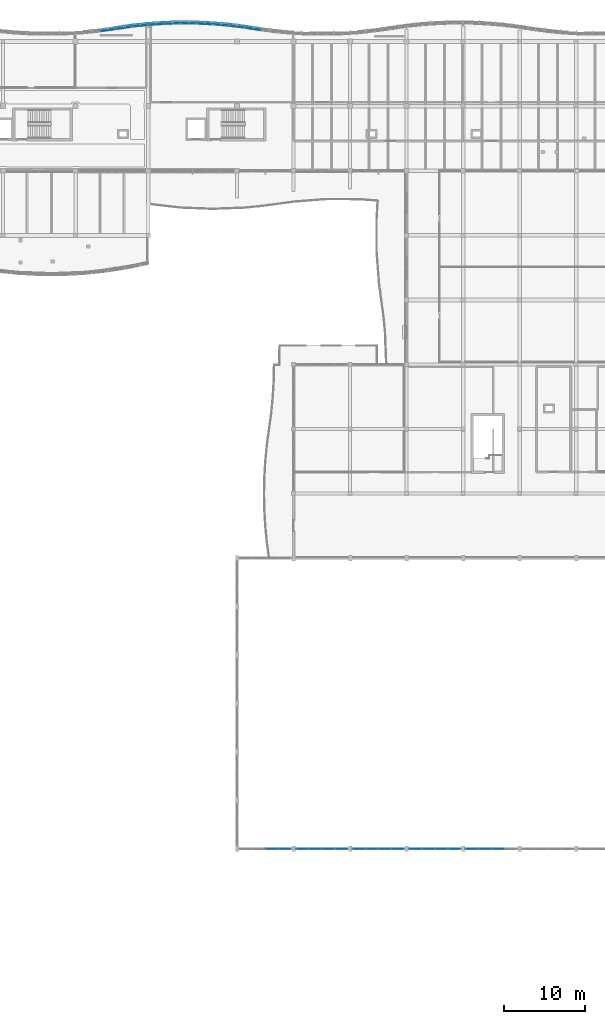
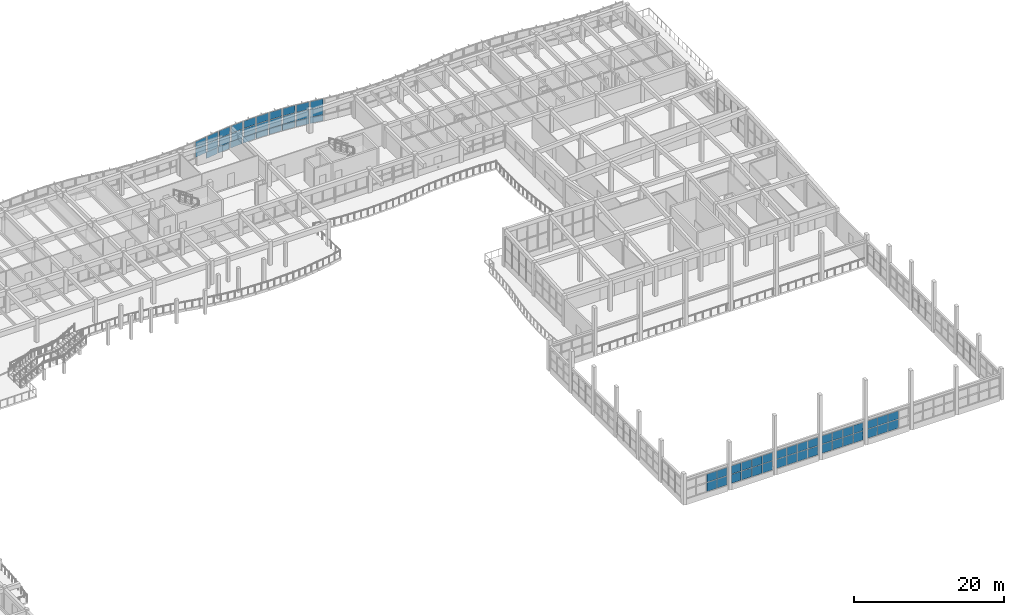
# One storey, part 51 of 89: 63 plates, 15 elements without a shape of their own.
"""IFC4 building model written with IfcOpenShell, lengths in metres."""

from ifc_helpers import new_model, si_unit, direction, frame, origin, origin_2d, place, context, subcontext, project, spatial, rectangle, extrude, material, layer, layer_set, type_object, element, aggregate, save


model = new_model("IFC4")

# Units and contexts
model_context = context("Model", 3, precision=1e-05, world=origin(), true_north=direction((0.0, 1.0)))
body_context = subcontext(model_context, "Body", "Model", "MODEL_VIEW")
ifc_project = project(units=[si_unit("LENGTHUNIT", "METRE"), si_unit("AREAUNIT", "SQUARE_METRE"), si_unit("VOLUMEUNIT", "CUBIC_METRE"), si_unit("PLANEANGLEUNIT", "RADIAN"), si_unit("MASSUNIT", "GRAM", prefix="KILO")], contexts=[model_context])

# Site, building, storey
site_placement = place(None, origin())
site = spatial("IfcSite", under=ifc_project, at=site_placement, CompositionType="ELEMENT")
building_placement = place(site_placement, origin())
building = spatial("IfcBuilding", under=site, at=building_placement, Name="Tonlespit Floodbar School", CompositionType="ELEMENT")
storey_placement = place(building_placement, frame((0.0, 0.0, 4.5)))
storey = spatial("IfcBuildingStorey", under=building, at=storey_placement, Name="L01", CompositionType="ELEMENT", Elevation=4.5)

# Curtain wall, plates
ifc_material_1 = material(Name="Anodised Aluminium", Category="aluminium")
ifc_layer_1 = layer(ifc_material_1, 0.159912109375)
ifc_layer_set_1 = layer_set([ifc_layer_1], Name="Anodised Aluminium")
curtain_wall_type_1 = type_object("IfcCurtainWallType", Name="CurtainWall_1950x2700", PredefinedType="NOTDEFINED", material=ifc_layer_set_1)
curtain_wall_1_placement = place(storey_placement, origin())
curtain_wall_1 = element("IfcCurtainWall", 1, at=curtain_wall_1_placement, inside=storey, type_object=curtain_wall_type_1, Name="L01 unitised curtain wall 0073", PredefinedType="NOTDEFINED")
ifc_material_2 = material(Name="Laminated Low-E Glass", Category="glass")
ifc_layer_2 = layer(ifc_material_2, 0.028076171875)
ifc_layer_set_2 = layer_set([ifc_layer_2], Name="Laminated Low-E Glass")
plate_type_1 = type_object("IfcPlateType", Name="CW_Panel_Glaz_28", PredefinedType="CURTAIN_PANEL", material=ifc_layer_set_2)
plate_1_placement = place(storey_placement, frame((111.0, 121.404296875, 1.01513671875), z_axis=(0.0, 0.0, 1.0), x_axis=(0.989541561858, 0.144248041079, 0.0)))
plate_1 = element("IfcPlate", 2, at=plate_1_placement, type_object=plate_type_1, Name="CW-04 panel 1.1", PredefinedType="CURTAIN_PANEL", context=body_context, shape_type="SweptSolid", body=[
    extrude(rectangle(XDim=1.81103515625, YDim=0.028076171875, at=origin_2d()), origin(), (0.0, 0.0, 1.0), 1.306396484375),
])
plate_2_placement = place(storey_placement, frame((111.0, 121.404296875, 2.38671875), z_axis=(0.0, 0.0, 1.0), x_axis=(0.989541561858, 0.144248041079, 0.0)))
plate_2 = element("IfcPlate", 3, at=plate_2_placement, type_object=plate_type_1, Name="CW-04 panel 1.2", PredefinedType="CURTAIN_PANEL", context=body_context, shape_type="SweptSolid", body=[
    extrude(rectangle(XDim=1.81103515625, YDim=0.028076171875, at=origin_2d()), origin(), (0.0, 0.0, 1.0), 1.198486328125),
])
aggregate(curtain_wall_1, [plate_1, plate_2])

ifc_layer_3 = layer(ifc_material_1, 0.159912109375)
ifc_layer_set_3 = layer_set([ifc_layer_3], Name="Anodised Aluminium")
curtain_wall_type_2 = type_object("IfcCurtainWallType", Name="CurtainWall_6450x3000", PredefinedType="NOTDEFINED", material=ifc_layer_set_3)
curtain_wall_2_placement = place(storey_placement, origin())
curtain_wall_2 = element("IfcCurtainWall", 4, at=curtain_wall_2_placement, inside=storey, type_object=curtain_wall_type_2, Name="L01 unitised curtain wall 0313", PredefinedType="NOTDEFINED")
plate_3_placement = place(storey_placement, frame((159.308837890625, 20.0, 0.7548828125), z_axis=(0.0, 0.0, 1.0), x_axis=(-1.0, 0.0, 0.0)))
plate_3 = element("IfcPlate", 5, at=plate_3_placement, type_object=plate_type_1, Name="CW-49 panel 2.1", PredefinedType="CURTAIN_PANEL", context=body_context, shape_type="SweptSolid", body=[
    extrude(rectangle(XDim=1.552490234375, YDim=0.028076171875, at=origin_2d()), origin(), (0.0, 0.0, 1.0), 1.457275390625),
])
plate_4_placement = place(storey_placement, frame((159.308837890625, 20.0, 2.27734375), z_axis=(0.0, 0.0, 1.0), x_axis=(-1.0, 0.0, 0.0)))
plate_4 = element("IfcPlate", 6, at=plate_4_placement, type_object=plate_type_1, Name="CW-49 panel 2.2", PredefinedType="CURTAIN_PANEL", context=body_context, shape_type="SweptSolid", body=[
    extrude(rectangle(XDim=1.552490234375, YDim=0.028076171875, at=origin_2d()), origin(), (0.0, 0.0, 1.0), 1.337646484375),
])
plate_5_placement = place(storey_placement, frame((157.691162109375, 20.0, 0.7548828125), z_axis=(0.0, 0.0, 1.0), x_axis=(-1.0, 0.0, 0.0)))
plate_5 = element("IfcPlate", 7, at=plate_5_placement, type_object=plate_type_1, Name="CW-49 panel 3.1", PredefinedType="CURTAIN_PANEL", context=body_context, shape_type="SweptSolid", body=[
    extrude(rectangle(XDim=1.552490234375, YDim=0.028076171875, at=origin_2d()), origin(), (0.0, 0.0, 1.0), 1.457275390625),
])
plate_6_placement = place(storey_placement, frame((157.691162109375, 20.0, 2.27734375), z_axis=(0.0, 0.0, 1.0), x_axis=(-1.0, 0.0, 0.0)))
plate_6 = element("IfcPlate", 8, at=plate_6_placement, type_object=plate_type_1, Name="CW-49 panel 3.2", PredefinedType="CURTAIN_PANEL", context=body_context, shape_type="SweptSolid", body=[
    extrude(rectangle(XDim=1.552490234375, YDim=0.028076171875, at=origin_2d()), origin(), (0.0, 0.0, 1.0), 1.337646484375),
])
plate_7_placement = place(storey_placement, frame((156.090087890625, 20.0, 0.7548828125), z_axis=(0.0, 0.0, 1.0), x_axis=(-1.0, 0.0, 0.0)))
plate_7 = element("IfcPlate", 9, at=plate_7_placement, type_object=plate_type_1, Name="CW-49 panel 4.1", PredefinedType="CURTAIN_PANEL", context=body_context, shape_type="SweptSolid", body=[
    extrude(rectangle(XDim=1.52001953125, YDim=0.028076171875, at=origin_2d()), origin(), (0.0, 0.0, 1.0), 1.457275390625),
])
plate_8_placement = place(storey_placement, frame((156.090087890625, 20.0, 2.27734375), z_axis=(0.0, 0.0, 1.0), x_axis=(-1.0, 0.0, 0.0)))
plate_8 = element("IfcPlate", 10, at=plate_8_placement, type_object=plate_type_1, Name="CW-49 panel 4.2", PredefinedType="CURTAIN_PANEL", context=body_context, shape_type="SweptSolid", body=[
    extrude(rectangle(XDim=1.52001953125, YDim=0.028076171875, at=origin_2d()), origin(), (0.0, 0.0, 1.0), 1.337646484375),
])
aggregate(curtain_wall_2, [plate_3, plate_4, plate_5, plate_6, plate_7, plate_8])

curtain_wall_3_placement = place(storey_placement, origin())
curtain_wall_3 = element("IfcCurtainWall", 11, at=curtain_wall_3_placement, inside=storey, type_object=curtain_wall_type_2, Name="L01 unitised curtain wall 0317", PredefinedType="NOTDEFINED")
plate_9_placement = place(storey_placement, frame((132.909912109375, 20.0, 0.7548828125), z_axis=(0.0, 0.0, 1.0), x_axis=(-1.0, 0.0, 0.0)))
plate_9 = element("IfcPlate", 12, at=plate_9_placement, type_object=plate_type_1, Name="CW-49 panel 1.1", PredefinedType="CURTAIN_PANEL", context=body_context, shape_type="SweptSolid", body=[
    extrude(rectangle(XDim=1.52001953125, YDim=0.028076171875, at=origin_2d()), origin(), (0.0, 0.0, 1.0), 1.457275390625),
])
plate_10_placement = place(storey_placement, frame((132.909912109375, 20.0, 2.27734375), z_axis=(0.0, 0.0, 1.0), x_axis=(-1.0, 0.0, 0.0)))
plate_10 = element("IfcPlate", 13, at=plate_10_placement, type_object=plate_type_1, Name="CW-49 panel 1.2", PredefinedType="CURTAIN_PANEL", context=body_context, shape_type="SweptSolid", body=[
    extrude(rectangle(XDim=1.52001953125, YDim=0.028076171875, at=origin_2d()), origin(), (0.0, 0.0, 1.0), 1.337646484375),
])
plate_11_placement = place(storey_placement, frame((131.308837890625, 20.0, 0.7548828125), z_axis=(0.0, 0.0, 1.0), x_axis=(-1.0, 0.0, 0.0)))
plate_11 = element("IfcPlate", 14, at=plate_11_placement, type_object=plate_type_1, Name="CW-49 panel 2.1", PredefinedType="CURTAIN_PANEL", context=body_context, shape_type="SweptSolid", body=[
    extrude(rectangle(XDim=1.552490234375, YDim=0.028076171875, at=origin_2d()), origin(), (0.0, 0.0, 1.0), 1.457275390625),
])
plate_12_placement = place(storey_placement, frame((131.308837890625, 20.0, 2.27734375), z_axis=(0.0, 0.0, 1.0), x_axis=(-1.0, 0.0, 0.0)))
plate_12 = element("IfcPlate", 15, at=plate_12_placement, type_object=plate_type_1, Name="CW-49 panel 2.2", PredefinedType="CURTAIN_PANEL", context=body_context, shape_type="SweptSolid", body=[
    extrude(rectangle(XDim=1.552490234375, YDim=0.028076171875, at=origin_2d()), origin(), (0.0, 0.0, 1.0), 1.337646484375),
])
aggregate(curtain_wall_3, [plate_9, plate_10, plate_11, plate_12])

ifc_layer_4 = layer(ifc_material_1, 0.159912109375)
ifc_layer_set_4 = layer_set([ifc_layer_4], Name="Anodised Aluminium")
curtain_wall_type_3 = type_object("IfcCurtainWallType", Name="CurtainWall_1900x2700", PredefinedType="NOTDEFINED", material=ifc_layer_set_4)
curtain_wall_4_placement = place(storey_placement, origin())
curtain_wall_4 = element("IfcCurtainWall", 16, at=curtain_wall_4_placement, inside=storey, type_object=curtain_wall_type_3, Name="L01 unitised curtain wall 0377", PredefinedType="NOTDEFINED")
plate_13_placement = place(storey_placement, frame((117.0, 122.121826171875, 1.01513671875), z_axis=(0.0, 0.0, 1.0), x_axis=(0.99773010165, 0.067339767311, 0.0)))
plate_13 = element("IfcPlate", 17, at=plate_13_placement, type_object=plate_type_1, Name="CW-05 panel 1.1", PredefinedType="CURTAIN_PANEL", context=body_context, shape_type="SweptSolid", body=[
    extrude(rectangle(XDim=1.794677734375, YDim=0.028076171875, at=origin_2d()), origin(), (0.0, 0.0, 1.0), 1.306396484375),
])
plate_14_placement = place(storey_placement, frame((117.0, 122.121826171875, 2.38671875), z_axis=(0.0, 0.0, 1.0), x_axis=(0.99773010165, 0.067339767311, 0.0)))
plate_14 = element("IfcPlate", 18, at=plate_14_placement, type_object=plate_type_1, Name="CW-05 panel 1.2", PredefinedType="CURTAIN_PANEL", context=body_context, shape_type="SweptSolid", body=[
    extrude(rectangle(XDim=1.794677734375, YDim=0.028076171875, at=origin_2d()), origin(), (0.0, 0.0, 1.0), 1.198486328125),
])
aggregate(curtain_wall_4, [plate_13, plate_14])

curtain_wall_5_placement = place(storey_placement, origin())
curtain_wall_5 = element("IfcCurtainWall", 19, at=curtain_wall_5_placement, inside=storey, type_object=curtain_wall_type_1, Name="L01 unitised curtain wall 0381", PredefinedType="NOTDEFINED")
plate_15_placement = place(storey_placement, frame((125.0, 122.044677734375, 1.01513671875), z_axis=(0.0, 0.0, 1.0), x_axis=(0.996249148412, -0.086531117454, 0.0)))
plate_15 = element("IfcPlate", 20, at=plate_15_placement, type_object=plate_type_1, Name="CW-04 panel 1.1", PredefinedType="CURTAIN_PANEL", context=body_context, shape_type="SweptSolid", body=[
    extrude(rectangle(XDim=1.797607421875, YDim=0.028076171875, at=origin_2d()), origin(), (0.0, 0.0, 1.0), 1.306396484375),
])
plate_16_placement = place(storey_placement, frame((125.0, 122.044677734375, 2.38671875), z_axis=(0.0, 0.0, 1.0), x_axis=(0.996249148412, -0.086531117454, 0.0)))
plate_16 = element("IfcPlate", 21, at=plate_16_placement, type_object=plate_type_1, Name="CW-04 panel 1.2", PredefinedType="CURTAIN_PANEL", context=body_context, shape_type="SweptSolid", body=[
    extrude(rectangle(XDim=1.797607421875, YDim=0.028076171875, at=origin_2d()), origin(), (0.0, 0.0, 1.0), 1.198486328125),
])
aggregate(curtain_wall_5, [plate_15, plate_16])

curtain_wall_6_placement = place(storey_placement, origin())
curtain_wall_6 = element("IfcCurtainWall", 22, at=curtain_wall_6_placement, inside=storey, type_object=curtain_wall_type_1, Name="L01 unitised curtain wall 0074", PredefinedType="NOTDEFINED")
ifc_layer_5 = layer(ifc_material_2, 0.031982421875)
ifc_layer_set_5 = layer_set([ifc_layer_5], Name="Laminated Low-E Glass")
plate_type_2 = type_object("IfcPlateType", Name="CW_Panel_Glaz_32", PredefinedType="CURTAIN_PANEL", material=ifc_layer_set_5)
plate_17_placement = place(storey_placement, frame((113.0, 121.69580078125, 1.01513671875), z_axis=(0.0, 0.0, 1.0), x_axis=(0.989541561858, 0.144248041079, 0.0)))
plate_17 = element("IfcPlate", 23, at=plate_17_placement, type_object=plate_type_2, Name="CW-04 panel 1.1", PredefinedType="CURTAIN_PANEL", context=body_context, shape_type="SweptSolid", body=[
    extrude(rectangle(XDim=1.81103515625, YDim=0.031982421875, at=origin_2d()), origin(), (0.0, 0.0, 1.0), 1.306396484375),
])
plate_18_placement = place(storey_placement, frame((113.0, 121.69580078125, 2.38671875), z_axis=(0.0, 0.0, 1.0), x_axis=(0.989541561858, 0.144248041079, 0.0)))
plate_18 = element("IfcPlate", 24, at=plate_18_placement, type_object=plate_type_2, Name="CW-04 panel 1.2", PredefinedType="CURTAIN_PANEL", context=body_context, shape_type="SweptSolid", body=[
    extrude(rectangle(XDim=1.81103515625, YDim=0.031982421875, at=origin_2d()), origin(), (0.0, 0.0, 1.0), 1.198486328125),
])
aggregate(curtain_wall_6, [plate_17, plate_18])

curtain_wall_7_placement = place(storey_placement, origin())
curtain_wall_7 = element("IfcCurtainWall", 25, at=curtain_wall_7_placement, inside=storey, type_object=curtain_wall_type_2, Name="L01 unitised curtain wall 0314", PredefinedType="NOTDEFINED")
plate_19_placement = place(storey_placement, frame((153.909912109375, 20.0, 0.7548828125), z_axis=(0.0, 0.0, 1.0), x_axis=(-1.0, 0.0, 0.0)))
plate_19 = element("IfcPlate", 26, at=plate_19_placement, type_object=plate_type_2, Name="CW-49 panel 1.1", PredefinedType="CURTAIN_PANEL", context=body_context, shape_type="SweptSolid", body=[
    extrude(rectangle(XDim=1.52001953125, YDim=0.031982421875, at=origin_2d()), origin(), (0.0, 0.0, 1.0), 1.457275390625),
])
plate_20_placement = place(storey_placement, frame((153.909912109375, 20.0, 2.27734375), z_axis=(0.0, 0.0, 1.0), x_axis=(-1.0, 0.0, 0.0)))
plate_20 = element("IfcPlate", 27, at=plate_20_placement, type_object=plate_type_2, Name="CW-49 panel 1.2", PredefinedType="CURTAIN_PANEL", context=body_context, shape_type="SweptSolid", body=[
    extrude(rectangle(XDim=1.52001953125, YDim=0.031982421875, at=origin_2d()), origin(), (0.0, 0.0, 1.0), 1.337646484375),
])
plate_21_placement = place(storey_placement, frame((152.308837890625, 20.0, 0.7548828125), z_axis=(0.0, 0.0, 1.0), x_axis=(-1.0, 0.0, 0.0)))
plate_21 = element("IfcPlate", 28, at=plate_21_placement, type_object=plate_type_2, Name="CW-49 panel 2.1", PredefinedType="CURTAIN_PANEL", context=body_context, shape_type="SweptSolid", body=[
    extrude(rectangle(XDim=1.552490234375, YDim=0.031982421875, at=origin_2d()), origin(), (0.0, 0.0, 1.0), 1.457275390625),
])
plate_22_placement = place(storey_placement, frame((152.308837890625, 20.0, 2.27734375), z_axis=(0.0, 0.0, 1.0), x_axis=(-1.0, 0.0, 0.0)))
plate_22 = element("IfcPlate", 29, at=plate_22_placement, type_object=plate_type_2, Name="CW-49 panel 2.2", PredefinedType="CURTAIN_PANEL", context=body_context, shape_type="SweptSolid", body=[
    extrude(rectangle(XDim=1.552490234375, YDim=0.031982421875, at=origin_2d()), origin(), (0.0, 0.0, 1.0), 1.337646484375),
])
plate_23_placement = place(storey_placement, frame((150.691162109375, 20.0, 0.7548828125), z_axis=(0.0, 0.0, 1.0), x_axis=(-1.0, 0.0, 0.0)))
plate_23 = element("IfcPlate", 30, at=plate_23_placement, type_object=plate_type_2, Name="CW-49 panel 3.1", PredefinedType="CURTAIN_PANEL", context=body_context, shape_type="SweptSolid", body=[
    extrude(rectangle(XDim=1.552490234375, YDim=0.031982421875, at=origin_2d()), origin(), (0.0, 0.0, 1.0), 1.457275390625),
])
plate_24_placement = place(storey_placement, frame((150.691162109375, 20.0, 2.27734375), z_axis=(0.0, 0.0, 1.0), x_axis=(-1.0, 0.0, 0.0)))
plate_24 = element("IfcPlate", 31, at=plate_24_placement, type_object=plate_type_2, Name="CW-49 panel 3.2", PredefinedType="CURTAIN_PANEL", context=body_context, shape_type="SweptSolid", body=[
    extrude(rectangle(XDim=1.552490234375, YDim=0.031982421875, at=origin_2d()), origin(), (0.0, 0.0, 1.0), 1.337646484375),
])
plate_25_placement = place(storey_placement, frame((149.090087890625, 20.0, 0.7548828125), z_axis=(0.0, 0.0, 1.0), x_axis=(-1.0, 0.0, 0.0)))
plate_25 = element("IfcPlate", 32, at=plate_25_placement, type_object=plate_type_2, Name="CW-49 panel 4.1", PredefinedType="CURTAIN_PANEL", context=body_context, shape_type="SweptSolid", body=[
    extrude(rectangle(XDim=1.52001953125, YDim=0.031982421875, at=origin_2d()), origin(), (0.0, 0.0, 1.0), 1.457275390625),
])
plate_26_placement = place(storey_placement, frame((149.090087890625, 20.0, 2.27734375), z_axis=(0.0, 0.0, 1.0), x_axis=(-1.0, 0.0, 0.0)))
plate_26 = element("IfcPlate", 33, at=plate_26_placement, type_object=plate_type_2, Name="CW-49 panel 4.2", PredefinedType="CURTAIN_PANEL", context=body_context, shape_type="SweptSolid", body=[
    extrude(rectangle(XDim=1.52001953125, YDim=0.031982421875, at=origin_2d()), origin(), (0.0, 0.0, 1.0), 1.337646484375),
])
aggregate(curtain_wall_7, [plate_19, plate_20, plate_21, plate_22, plate_23, plate_24, plate_25, plate_26])

curtain_wall_8_placement = place(storey_placement, origin())
curtain_wall_8 = element("IfcCurtainWall", 34, at=curtain_wall_8_placement, inside=storey, type_object=curtain_wall_type_3, Name="L01 unitised curtain wall 0378", PredefinedType="NOTDEFINED")
plate_27_placement = place(storey_placement, frame((119.0, 122.21826171875, 1.01513671875), z_axis=(0.0, 0.0, 1.0), x_axis=(0.999585477883, 0.028790144226, 0.0)))
plate_27 = element("IfcPlate", 35, at=plate_27_placement, type_object=plate_type_2, Name="CW-05 panel 1.1", PredefinedType="CURTAIN_PANEL", context=body_context, shape_type="SweptSolid", body=[
    extrude(rectangle(XDim=1.790771484375, YDim=0.031982421875, at=origin_2d()), origin(), (0.0, 0.0, 1.0), 1.306396484375),
])
plate_28_placement = place(storey_placement, frame((119.0, 122.21826171875, 2.38671875), z_axis=(0.0, 0.0, 1.0), x_axis=(0.999585477883, 0.028790144226, 0.0)))
plate_28 = element("IfcPlate", 36, at=plate_28_placement, type_object=plate_type_2, Name="CW-05 panel 1.2", PredefinedType="CURTAIN_PANEL", context=body_context, shape_type="SweptSolid", body=[
    extrude(rectangle(XDim=1.790771484375, YDim=0.031982421875, at=origin_2d()), origin(), (0.0, 0.0, 1.0), 1.198486328125),
])
aggregate(curtain_wall_8, [plate_27, plate_28])

curtain_wall_9_placement = place(storey_placement, origin())
curtain_wall_9 = element("IfcCurtainWall", 37, at=curtain_wall_9_placement, inside=storey, type_object=curtain_wall_type_1, Name="L01 unitised curtain wall 0382", PredefinedType="NOTDEFINED")
plate_29_placement = place(storey_placement, frame((127.0, 121.831787109375, 1.01513671875), z_axis=(0.0, 0.0, 1.0), x_axis=(0.992155002499, -0.125013803299, 0.0)))
plate_29 = element("IfcPlate", 38, at=plate_29_placement, type_object=plate_type_2, Name="CW-04 panel 1.1", PredefinedType="CURTAIN_PANEL", context=body_context, shape_type="SweptSolid", body=[
    extrude(rectangle(XDim=1.805908203125, YDim=0.031982421875, at=origin_2d()), origin(), (0.0, 0.0, 1.0), 1.306396484375),
])
plate_30_placement = place(storey_placement, frame((127.0, 121.831787109375, 2.38671875), z_axis=(0.0, 0.0, 1.0), x_axis=(0.992155002499, -0.125013803299, 0.0)))
plate_30 = element("IfcPlate", 39, at=plate_30_placement, type_object=plate_type_2, Name="CW-04 panel 1.2", PredefinedType="CURTAIN_PANEL", context=body_context, shape_type="SweptSolid", body=[
    extrude(rectangle(XDim=1.805908203125, YDim=0.031982421875, at=origin_2d()), origin(), (0.0, 0.0, 1.0), 1.198486328125),
])
aggregate(curtain_wall_9, [plate_29, plate_30])

curtain_wall_10_placement = place(storey_placement, origin())
curtain_wall_10 = element("IfcCurtainWall", 40, at=curtain_wall_10_placement, inside=storey, type_object=curtain_wall_type_1, Name="L01 unitised curtain wall 0075", PredefinedType="NOTDEFINED")
ifc_layer_6 = layer(ifc_material_2, 0.035888671875)
ifc_layer_set_6 = layer_set([ifc_layer_6], Name="Laminated Low-E Glass")
plate_type_3 = type_object("IfcPlateType", Name="CW_Panel_Glaz_36", PredefinedType="CURTAIN_PANEL", material=ifc_layer_set_6)
plate_31_placement = place(storey_placement, frame((115.0, 121.947998046875, 1.01513671875), z_axis=(0.0, 0.0, 1.0), x_axis=(0.994388797288, 0.105787143968, 0.0)))
plate_31 = element("IfcPlate", 41, at=plate_31_placement, type_object=plate_type_3, Name="CW-04 panel 1.1", PredefinedType="CURTAIN_PANEL", context=body_context, shape_type="SweptSolid", body=[
    extrude(rectangle(XDim=1.80126953125, YDim=0.035888671875, at=origin_2d()), origin(), (0.0, 0.0, 1.0), 1.306396484375),
])
plate_32_placement = place(storey_placement, frame((115.0, 121.947998046875, 2.38671875), z_axis=(0.0, 0.0, 1.0), x_axis=(0.994388797288, 0.105787143968, 0.0)))
plate_32 = element("IfcPlate", 42, at=plate_32_placement, type_object=plate_type_3, Name="CW-04 panel 1.2", PredefinedType="CURTAIN_PANEL", context=body_context, shape_type="SweptSolid", body=[
    extrude(rectangle(XDim=1.80126953125, YDim=0.035888671875, at=origin_2d()), origin(), (0.0, 0.0, 1.0), 1.198486328125),
])
aggregate(curtain_wall_10, [plate_31, plate_32])

curtain_wall_11_placement = place(storey_placement, origin())
curtain_wall_11 = element("IfcCurtainWall", 43, at=curtain_wall_11_placement, inside=storey, type_object=curtain_wall_type_2, Name="L01 unitised curtain wall 0315", PredefinedType="NOTDEFINED")
plate_33_placement = place(storey_placement, frame((146.909912109375, 20.0, 0.7548828125), z_axis=(0.0, 0.0, 1.0), x_axis=(-1.0, 0.0, 0.0)))
plate_33 = element("IfcPlate", 44, at=plate_33_placement, type_object=plate_type_3, Name="CW-49 panel 1.1", PredefinedType="CURTAIN_PANEL", context=body_context, shape_type="SweptSolid", body=[
    extrude(rectangle(XDim=1.52001953125, YDim=0.035888671875, at=origin_2d()), origin(), (0.0, 0.0, 1.0), 1.457275390625),
])
plate_34_placement = place(storey_placement, frame((146.909912109375, 20.0, 2.27734375), z_axis=(0.0, 0.0, 1.0), x_axis=(-1.0, 0.0, 0.0)))
plate_34 = element("IfcPlate", 45, at=plate_34_placement, type_object=plate_type_3, Name="CW-49 panel 1.2", PredefinedType="CURTAIN_PANEL", context=body_context, shape_type="SweptSolid", body=[
    extrude(rectangle(XDim=1.52001953125, YDim=0.035888671875, at=origin_2d()), origin(), (0.0, 0.0, 1.0), 1.337646484375),
])
plate_35_placement = place(storey_placement, frame((145.308837890625, 20.0, 0.7548828125), z_axis=(0.0, 0.0, 1.0), x_axis=(-1.0, 0.0, 0.0)))
plate_35 = element("IfcPlate", 46, at=plate_35_placement, type_object=plate_type_3, Name="CW-49 panel 2.1", PredefinedType="CURTAIN_PANEL", context=body_context, shape_type="SweptSolid", body=[
    extrude(rectangle(XDim=1.552490234375, YDim=0.035888671875, at=origin_2d()), origin(), (0.0, 0.0, 1.0), 1.457275390625),
])
plate_36_placement = place(storey_placement, frame((145.308837890625, 20.0, 2.27734375), z_axis=(0.0, 0.0, 1.0), x_axis=(-1.0, 0.0, 0.0)))
plate_36 = element("IfcPlate", 47, at=plate_36_placement, type_object=plate_type_3, Name="CW-49 panel 2.2", PredefinedType="CURTAIN_PANEL", context=body_context, shape_type="SweptSolid", body=[
    extrude(rectangle(XDim=1.552490234375, YDim=0.035888671875, at=origin_2d()), origin(), (0.0, 0.0, 1.0), 1.337646484375),
])
plate_37_placement = place(storey_placement, frame((143.691162109375, 20.0, 0.7548828125), z_axis=(0.0, 0.0, 1.0), x_axis=(-1.0, 0.0, 0.0)))
plate_37 = element("IfcPlate", 48, at=plate_37_placement, type_object=plate_type_3, Name="CW-49 panel 3.1", PredefinedType="CURTAIN_PANEL", context=body_context, shape_type="SweptSolid", body=[
    extrude(rectangle(XDim=1.552490234375, YDim=0.035888671875, at=origin_2d()), origin(), (0.0, 0.0, 1.0), 1.457275390625),
])
plate_38_placement = place(storey_placement, frame((143.691162109375, 20.0, 2.27734375), z_axis=(0.0, 0.0, 1.0), x_axis=(-1.0, 0.0, 0.0)))
plate_38 = element("IfcPlate", 49, at=plate_38_placement, type_object=plate_type_3, Name="CW-49 panel 3.2", PredefinedType="CURTAIN_PANEL", context=body_context, shape_type="SweptSolid", body=[
    extrude(rectangle(XDim=1.552490234375, YDim=0.035888671875, at=origin_2d()), origin(), (0.0, 0.0, 1.0), 1.337646484375),
])
plate_39_placement = place(storey_placement, frame((142.090087890625, 20.0, 0.7548828125), z_axis=(0.0, 0.0, 1.0), x_axis=(-1.0, 0.0, 0.0)))
plate_39 = element("IfcPlate", 50, at=plate_39_placement, type_object=plate_type_3, Name="CW-49 panel 4.1", PredefinedType="CURTAIN_PANEL", context=body_context, shape_type="SweptSolid", body=[
    extrude(rectangle(XDim=1.52001953125, YDim=0.035888671875, at=origin_2d()), origin(), (0.0, 0.0, 1.0), 1.457275390625),
])
plate_40_placement = place(storey_placement, frame((142.090087890625, 20.0, 2.27734375), z_axis=(0.0, 0.0, 1.0), x_axis=(-1.0, 0.0, 0.0)))
plate_40 = element("IfcPlate", 51, at=plate_40_placement, type_object=plate_type_3, Name="CW-49 panel 4.2", PredefinedType="CURTAIN_PANEL", context=body_context, shape_type="SweptSolid", body=[
    extrude(rectangle(XDim=1.52001953125, YDim=0.035888671875, at=origin_2d()), origin(), (0.0, 0.0, 1.0), 1.337646484375),
])
aggregate(curtain_wall_11, [plate_33, plate_34, plate_35, plate_36, plate_37, plate_38, plate_39, plate_40])

curtain_wall_12_placement = place(storey_placement, origin())
curtain_wall_12 = element("IfcCurtainWall", 52, at=curtain_wall_12_placement, inside=storey, type_object=curtain_wall_type_3, Name="L01 unitised curtain wall 0379", PredefinedType="NOTDEFINED")
plate_41_placement = place(storey_placement, frame((121.0, 122.2373046875, 1.01513671875), z_axis=(0.0, 0.0, 1.0), x_axis=(0.999954083024, -0.009582893292, 0.0)))
plate_41 = element("IfcPlate", 53, at=plate_41_placement, type_object=plate_type_3, Name="CW-05 panel 1.1", PredefinedType="CURTAIN_PANEL", context=body_context, shape_type="SweptSolid", body=[
    extrude(rectangle(XDim=1.7900390625, YDim=0.035888671875, at=origin_2d()), origin(), (0.0, 0.0, 1.0), 1.306396484375),
])
plate_42_placement = place(storey_placement, frame((121.0, 122.2373046875, 2.38671875), z_axis=(0.0, 0.0, 1.0), x_axis=(0.999954083024, -0.009582893292, 0.0)))
plate_42 = element("IfcPlate", 54, at=plate_42_placement, type_object=plate_type_3, Name="CW-05 panel 1.2", PredefinedType="CURTAIN_PANEL", context=body_context, shape_type="SweptSolid", body=[
    extrude(rectangle(XDim=1.7900390625, YDim=0.035888671875, at=origin_2d()), origin(), (0.0, 0.0, 1.0), 1.198486328125),
])
aggregate(curtain_wall_12, [plate_41, plate_42])

curtain_wall_13_placement = place(storey_placement, origin())
curtain_wall_13 = element("IfcCurtainWall", 55, at=curtain_wall_13_placement, inside=storey, type_object=curtain_wall_type_1, Name="L01 unitised curtain wall 0383", PredefinedType="NOTDEFINED")
plate_43_placement = place(storey_placement, frame((129.0, 121.550048828125, 1.01513671875), z_axis=(0.0, 0.0, 1.0), x_axis=(0.988102576465, -0.153796288585, 0.0)))
plate_43 = element("IfcPlate", 56, at=plate_43_placement, type_object=plate_type_3, Name="CW-04 panel 1.1", PredefinedType="CURTAIN_PANEL", context=body_context, shape_type="SweptSolid", body=[
    extrude(rectangle(XDim=1.814208984375, YDim=0.035888671875, at=origin_2d()), origin(), (0.0, 0.0, 1.0), 1.306396484375),
])
plate_44_placement = place(storey_placement, frame((129.0, 121.550048828125, 2.38671875), z_axis=(0.0, 0.0, 1.0), x_axis=(0.988102576465, -0.153796288585, 0.0)))
plate_44 = element("IfcPlate", 57, at=plate_44_placement, type_object=plate_type_3, Name="CW-04 panel 1.2", PredefinedType="CURTAIN_PANEL", context=body_context, shape_type="SweptSolid", body=[
    extrude(rectangle(XDim=1.814208984375, YDim=0.035888671875, at=origin_2d()), origin(), (0.0, 0.0, 1.0), 1.198486328125),
])
aggregate(curtain_wall_13, [plate_43, plate_44])

curtain_wall_14_placement = place(storey_placement, origin())
curtain_wall_14 = element("IfcCurtainWall", 58, at=curtain_wall_14_placement, inside=storey, type_object=curtain_wall_type_2, Name="L01 unitised curtain wall 0316", PredefinedType="NOTDEFINED")
ifc_layer_7 = layer(ifc_material_2, 0.0419921875)
ifc_layer_set_7 = layer_set([ifc_layer_7], Name="Laminated Low-E Glass")
plate_type_4 = type_object("IfcPlateType", Name="CW_Panel_Glaz_42", PredefinedType="CURTAIN_PANEL", material=ifc_layer_set_7)
plate_45_placement = place(storey_placement, frame((139.909912109375, 20.0, 0.7548828125), z_axis=(0.0, 0.0, 1.0), x_axis=(-1.0, 0.0, 0.0)))
plate_45 = element("IfcPlate", 59, at=plate_45_placement, type_object=plate_type_4, Name="CW-49 panel 1.1", PredefinedType="CURTAIN_PANEL", context=body_context, shape_type="SweptSolid", body=[
    extrude(rectangle(XDim=1.52001953125, YDim=0.0419921875, at=origin_2d()), origin(), (0.0, 0.0, 1.0), 1.457275390625),
])
plate_46_placement = place(storey_placement, frame((139.909912109375, 20.0, 2.27734375), z_axis=(0.0, 0.0, 1.0), x_axis=(-1.0, 0.0, 0.0)))
plate_46 = element("IfcPlate", 60, at=plate_46_placement, type_object=plate_type_4, Name="CW-49 panel 1.2", PredefinedType="CURTAIN_PANEL", context=body_context, shape_type="SweptSolid", body=[
    extrude(rectangle(XDim=1.52001953125, YDim=0.0419921875, at=origin_2d()), origin(), (0.0, 0.0, 1.0), 1.337646484375),
])
plate_47_placement = place(storey_placement, frame((138.308837890625, 20.0, 0.7548828125), z_axis=(0.0, 0.0, 1.0), x_axis=(-1.0, 0.0, 0.0)))
plate_47 = element("IfcPlate", 61, at=plate_47_placement, type_object=plate_type_4, Name="CW-49 panel 2.1", PredefinedType="CURTAIN_PANEL", context=body_context, shape_type="SweptSolid", body=[
    extrude(rectangle(XDim=1.552490234375, YDim=0.0419921875, at=origin_2d()), origin(), (0.0, 0.0, 1.0), 1.457275390625),
])
plate_48_placement = place(storey_placement, frame((138.308837890625, 20.0, 2.27734375), z_axis=(0.0, 0.0, 1.0), x_axis=(-1.0, 0.0, 0.0)))
plate_48 = element("IfcPlate", 62, at=plate_48_placement, type_object=plate_type_4, Name="CW-49 panel 2.2", PredefinedType="CURTAIN_PANEL", context=body_context, shape_type="SweptSolid", body=[
    extrude(rectangle(XDim=1.552490234375, YDim=0.0419921875, at=origin_2d()), origin(), (0.0, 0.0, 1.0), 1.337646484375),
])
plate_49_placement = place(storey_placement, frame((136.691162109375, 20.0, 0.7548828125), z_axis=(0.0, 0.0, 1.0), x_axis=(-1.0, 0.0, 0.0)))
plate_49 = element("IfcPlate", 63, at=plate_49_placement, type_object=plate_type_4, Name="CW-49 panel 3.1", PredefinedType="CURTAIN_PANEL", context=body_context, shape_type="SweptSolid", body=[
    extrude(rectangle(XDim=1.552490234375, YDim=0.0419921875, at=origin_2d()), origin(), (0.0, 0.0, 1.0), 1.457275390625),
])
plate_50_placement = place(storey_placement, frame((136.691162109375, 20.0, 2.27734375), z_axis=(0.0, 0.0, 1.0), x_axis=(-1.0, 0.0, 0.0)))
plate_50 = element("IfcPlate", 64, at=plate_50_placement, type_object=plate_type_4, Name="CW-49 panel 3.2", PredefinedType="CURTAIN_PANEL", context=body_context, shape_type="SweptSolid", body=[
    extrude(rectangle(XDim=1.552490234375, YDim=0.0419921875, at=origin_2d()), origin(), (0.0, 0.0, 1.0), 1.337646484375),
])
plate_51_placement = place(storey_placement, frame((135.090087890625, 20.0, 0.7548828125), z_axis=(0.0, 0.0, 1.0), x_axis=(-1.0, 0.0, 0.0)))
plate_51 = element("IfcPlate", 65, at=plate_51_placement, type_object=plate_type_4, Name="CW-49 panel 4.1", PredefinedType="CURTAIN_PANEL", context=body_context, shape_type="SweptSolid", body=[
    extrude(rectangle(XDim=1.52001953125, YDim=0.0419921875, at=origin_2d()), origin(), (0.0, 0.0, 1.0), 1.457275390625),
])
plate_52_placement = place(storey_placement, frame((135.090087890625, 20.0, 2.27734375), z_axis=(0.0, 0.0, 1.0), x_axis=(-1.0, 0.0, 0.0)))
plate_52 = element("IfcPlate", 66, at=plate_52_placement, type_object=plate_type_4, Name="CW-49 panel 4.2", PredefinedType="CURTAIN_PANEL", context=body_context, shape_type="SweptSolid", body=[
    extrude(rectangle(XDim=1.52001953125, YDim=0.0419921875, at=origin_2d()), origin(), (0.0, 0.0, 1.0), 1.337646484375),
])
aggregate(curtain_wall_14, [plate_45, plate_46, plate_47, plate_48, plate_49, plate_50, plate_51, plate_52])

curtain_wall_15_placement = place(storey_placement, origin())
curtain_wall_15 = element("IfcCurtainWall", 67, at=curtain_wall_15_placement, inside=storey, type_object=curtain_wall_type_3, Name="L01 unitised curtain wall 0380", PredefinedType="NOTDEFINED")
plate_53_placement = place(storey_placement, frame((123.0, 122.1796875, 1.01513671875), z_axis=(0.0, 0.0, 1.0), x_axis=(0.998841500616, -0.048121270216, 0.0)))
plate_53 = element("IfcPlate", 68, at=plate_53_placement, type_object=plate_type_4, Name="CW-05 panel 1.1", PredefinedType="CURTAIN_PANEL", context=body_context, shape_type="SweptSolid", body=[
    extrude(rectangle(XDim=1.792236328125, YDim=0.0419921875, at=origin_2d()), origin(), (0.0, 0.0, 1.0), 1.306396484375),
])
plate_54_placement = place(storey_placement, frame((123.0, 122.1796875, 2.38671875), z_axis=(0.0, 0.0, 1.0), x_axis=(0.998841500616, -0.048121270216, 0.0)))
plate_54 = element("IfcPlate", 69, at=plate_54_placement, type_object=plate_type_4, Name="CW-05 panel 1.2", PredefinedType="CURTAIN_PANEL", context=body_context, shape_type="SweptSolid", body=[
    extrude(rectangle(XDim=1.792236328125, YDim=0.0419921875, at=origin_2d()), origin(), (0.0, 0.0, 1.0), 1.198486328125),
])
aggregate(curtain_wall_15, [plate_53, plate_54])

# Plates
ifc_material_3 = material(Name="White Architectural Aluminium", Category="aluminium")
ifc_layer_8 = layer(ifc_material_3, 0.06494140625)
ifc_layer_set_8 = layer_set([ifc_layer_8], Name="White Architectural Aluminium")
plate_type_5 = type_object("IfcPlateType", Name="FacadeRibbon_White_65", PredefinedType="SHEET", material=ifc_layer_set_8)
plate_55_placement = place(storey_placement, frame((112.9736328125, 121.8759765625, -0.1201171875), z_axis=(0.0, 0.0, 1.0), x_axis=(0.989537627347, 0.144275029245, 0.0)))
element("IfcPlate", 70, at=plate_55_placement, inside=storey, type_object=plate_type_5, Name="L01 flowing white street spandrel ribbon 0082", PredefinedType="SHEET", context=body_context, shape_type="SweptSolid", body=[
    extrude(rectangle(XDim=1.861083984375, YDim=0.06494140625, at=origin_2d()), origin(), (0.0, 0.0, 1.0), 1.070068359375),
])
plate_56_placement = place(storey_placement, frame((114.980712890625, 122.12890625, -0.1201171875), z_axis=(0.0, 0.0, 1.0), x_axis=(0.99439234017, 0.105753835922, 0.0)))
element("IfcPlate", 71, at=plate_56_placement, inside=storey, type_object=plate_type_5, Name="L01 flowing white street spandrel ribbon 0083", PredefinedType="SHEET", context=body_context, shape_type="SweptSolid", body=[
    extrude(rectangle(XDim=1.851318359375, YDim=0.06494140625, at=origin_2d()), origin(), (0.0, 0.0, 1.0), 1.070068359375),
])
plate_57_placement = place(storey_placement, frame((116.98779296875, 122.303466796875, -0.1201171875), z_axis=(0.0, 0.0, 1.0), x_axis=(0.997729639049, 0.067346621018, 0.0)))
element("IfcPlate", 72, at=plate_57_placement, inside=storey, type_object=plate_type_5, Name="L01 flowing white street spandrel ribbon 0627", PredefinedType="SHEET", context=body_context, shape_type="SweptSolid", body=[
    extrude(rectangle(XDim=1.844482421875, YDim=0.06494140625, at=origin_2d()), origin(), (0.0, 0.0, 1.0), 1.070068359375),
])
plate_58_placement = place(storey_placement, frame((118.994873046875, 122.400146484375, -0.1201171875), z_axis=(0.0, 0.0, 1.0), x_axis=(0.999584110869, 0.02883756748, 0.0)))
element("IfcPlate", 73, at=plate_58_placement, inside=storey, type_object=plate_type_5, Name="L01 flowing white street spandrel ribbon 0628", PredefinedType="SHEET", context=body_context, shape_type="SweptSolid", body=[
    extrude(rectangle(XDim=1.8408203125, YDim=0.06494140625, at=origin_2d()), origin(), (0.0, 0.0, 1.0), 1.070068359375),
])
plate_59_placement = place(storey_placement, frame((121.001708984375, 122.41943359375, -0.1201171875), z_axis=(0.0, 0.0, 1.0), x_axis=(0.999953926969, -0.009599163462, 0.0)))
element("IfcPlate", 74, at=plate_59_placement, inside=storey, type_object=plate_type_5, Name="L01 flowing white street spandrel ribbon 0629", PredefinedType="SHEET", context=body_context, shape_type="SweptSolid", body=[
    extrude(rectangle(XDim=1.840087890625, YDim=0.06494140625, at=origin_2d()), origin(), (0.0, 0.0, 1.0), 1.070068359375),
])
plate_60_placement = place(storey_placement, frame((123.0087890625, 122.361328125, -0.1201171875), z_axis=(0.0, 0.0, 1.0), x_axis=(0.998842769234, -0.048094930587, 0.0)))
element("IfcPlate", 75, at=plate_60_placement, inside=storey, type_object=plate_type_5, Name="L01 flowing white street spandrel ribbon 0630", PredefinedType="SHEET", context=body_context, shape_type="SweptSolid", body=[
    extrude(rectangle(XDim=1.84228515625, YDim=0.06494140625, at=origin_2d()), origin(), (0.0, 0.0, 1.0), 1.070068359375),
])
plate_61_placement = place(storey_placement, frame((125.015869140625, 122.225830078125, -0.1201171875), z_axis=(0.0, 0.0, 1.0), x_axis=(0.996245486492, -0.086573267488, 0.0)))
element("IfcPlate", 76, at=plate_61_placement, inside=storey, type_object=plate_type_5, Name="L01 flowing white street spandrel ribbon 0631", PredefinedType="SHEET", context=body_context, shape_type="SweptSolid", body=[
    extrude(rectangle(XDim=1.847412109375, YDim=0.06494140625, at=origin_2d()), origin(), (0.0, 0.0, 1.0), 1.070068359375),
])
plate_62_placement = place(storey_placement, frame((127.022705078125, 122.01220703125, -0.1201171875), z_axis=(0.0, 0.0, 1.0), x_axis=(0.99215533612, -0.125011155539, 0.0)))
element("IfcPlate", 77, at=plate_62_placement, inside=storey, type_object=plate_type_5, Name="L01 flowing white street spandrel ribbon 0632", PredefinedType="SHEET", context=body_context, shape_type="SweptSolid", body=[
    extrude(rectangle(XDim=1.855712890625, YDim=0.06494140625, at=origin_2d()), origin(), (0.0, 0.0, 1.0), 1.070068359375),
])
plate_63_placement = place(storey_placement, frame((129.028076171875, 121.729736328125, -0.1201171875), z_axis=(0.0, 0.0, 1.0), x_axis=(0.988094768361, -0.153846445322, 0.0)))
element("IfcPlate", 78, at=plate_63_placement, inside=storey, type_object=plate_type_5, Name="L01 flowing white street spandrel ribbon 0633", PredefinedType="SHEET", context=body_context, shape_type="SweptSolid", body=[
    extrude(rectangle(XDim=1.864013671875, YDim=0.06494140625, at=origin_2d()), origin(), (0.0, 0.0, 1.0), 1.070068359375),
])

save(model, "model.ifc")
